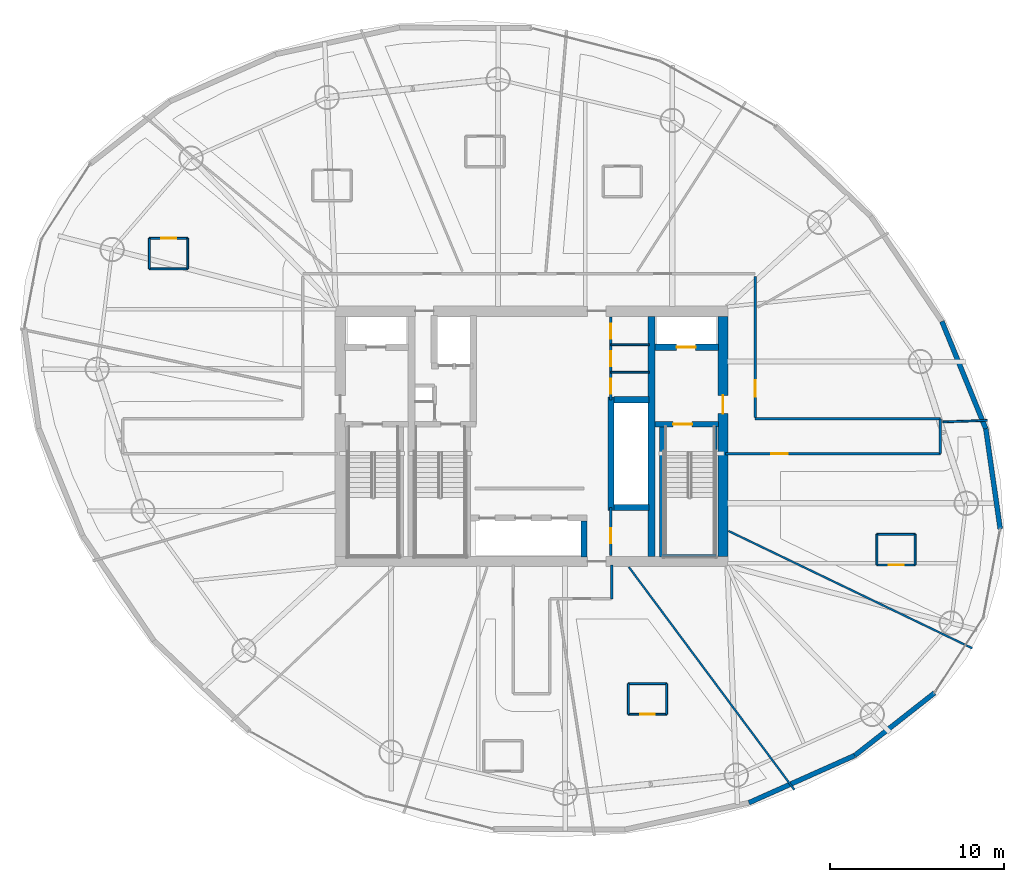
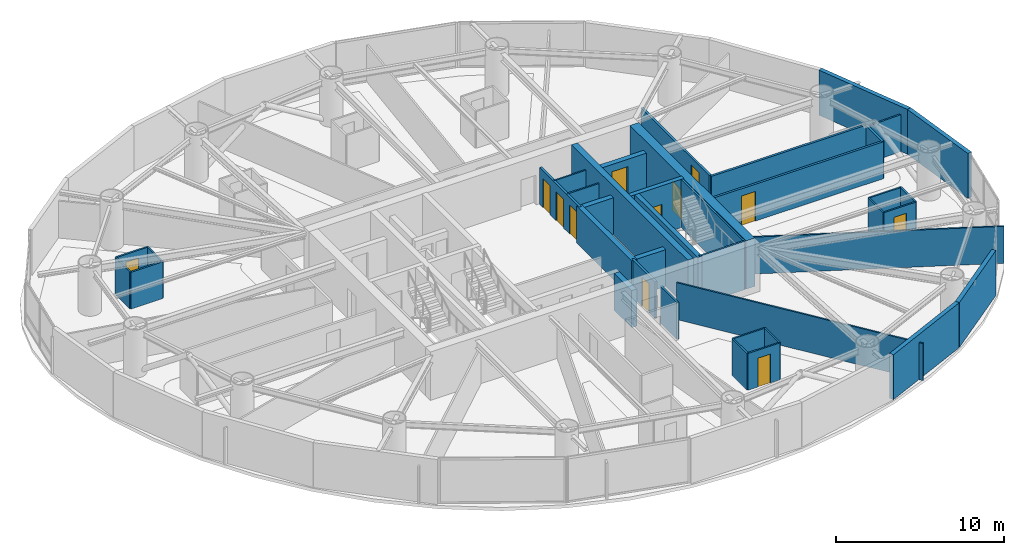
# One storey, part 17 of 22: 39 walls, 12 doors, 12 openings.
"""IFC4 building model written with IfcOpenShell, lengths in metres."""

from ifc_helpers import new_model, si_unit, direction, frame, frame_2d, origin, place, context, subcontext, project, spatial, rectangle, extrude, material, layer, layer_set, type_object, element, fill, save


model = new_model("IFC4")

# Units and contexts
model_context = context("Model", 3, precision=1e-05, world=origin(), true_north=direction((0.0, 1.0)))
body_context = subcontext(model_context, "Body", "Model", "MODEL_VIEW")
ifc_project = project(units=[si_unit("LENGTHUNIT", "METRE"), si_unit("AREAUNIT", "SQUARE_METRE"), si_unit("VOLUMEUNIT", "CUBIC_METRE"), si_unit("PLANEANGLEUNIT", "RADIAN"), si_unit("MASSUNIT", "GRAM", prefix="KILO")], contexts=[model_context])

# Site, building, storey
site_placement = place(None, origin())
site = spatial("IfcSite", under=ifc_project, at=site_placement, CompositionType="ELEMENT")
building_placement = place(site_placement, origin())
building = spatial("IfcBuilding", under=site, at=building_placement, Name="Bramvorn Convention Spire", CompositionType="ELEMENT")
storey_placement = place(building_placement, frame((0.0, 0.0, 120.300048828125)))
storey = spatial("IfcBuildingStorey", under=building, at=storey_placement, Name="L29", CompositionType="ELEMENT", Elevation=120.300048828125)

# Wall, opening, door
ifc_material_1 = material(Name="Concrete C60/70", Category="concrete")
ifc_layer_1 = layer(ifc_material_1, 0.60009765625)
ifc_layer_set_1 = layer_set([ifc_layer_1], Name="Concrete C60/70 - WL-CORE-600")
wall_type_1 = type_object("IfcWallType", Name="WL-CORE-600", PredefinedType="SHEAR", material=ifc_layer_set_1)
wall_1_placement = place(storey_placement, frame((49.0, 19.10009765625, 0.0), z_axis=(0.0, 0.0, 1.0), x_axis=(0.0, 1.0, 0.0)))
wall_1 = element("IfcWall", 1, at=wall_1_placement, inside=storey, type_object=wall_type_1, Name="L29 East RC core shear wall", PredefinedType="SHEAR", context=body_context, shape_type="SweptSolid", body=[
    extrude(rectangle(XDim=13.7998046875, YDim=0.60009765625, at=frame_2d((6.89990234375, 0.0))), origin(), (0.0, 0.0, 1.0), 3.5),
])
opening_1_placement = place(wall_1_placement, frame((8.199951171875, 0.0, 0.0)))
opening_1 = element("IfcOpeningElement", 2, at=opening_1_placement, cuts=wall_1, Name="Opening DL-105", PredefinedType="OPENING", context=body_context, shape_type="SweptSolid", body=[
    extrude(rectangle(XDim=1.050048828125, YDim=2.14990234375, at=frame_2d((0.52490234375, 1.074951171875))), frame((0.0, 0.31005859375, 0.0), z_axis=(0.0, -1.0, 0.0), x_axis=(1.0, 0.0, 0.0)), (0.0, 0.0, 1.0), 0.6201171875),
])
ifc_material_2 = material(Name="Smoke-Sealed Fire Lobby Timber-Core Door", Category="wood")
door_type_1 = type_object("IfcDoorType", Name="DR-LOBBY-1050", OperationType="NOTDEFINED", PredefinedType="DOOR", material=ifc_material_2)
door_1_placement = place(opening_1_placement, origin())
door_1 = element("IfcDoor", 3, at=door_1_placement, inside=storey, type_object=door_type_1, Name="L29 East Firefighting Lobby corridor door", OperationType="SINGLE_SWING_LEFT", OverallHeight=2.14990234375, OverallWidth=1.050048828125, PredefinedType="DOOR", context=body_context, shape_type="SweptSolid", body=[
    extrude(rectangle(XDim=1.050048828125, YDim=2.14990234375, at=frame_2d((0.52490234375, 1.074951171875))), frame((0.0, 0.02490234375, 0.0), z_axis=(0.0, -1.0, 0.0), x_axis=(1.0, 0.0, 0.0)), (0.0, 0.0, 1.0), 0.050048828125),
])
fill(opening_1, door_1)

ifc_material_3 = material(Name="Concrete C50/60", Category="concrete")
ifc_layer_2 = layer(ifc_material_3, 0.35009765625)
ifc_layer_set_2 = layer_set([ifc_layer_2], Name="Concrete C50/60 - WL-CORE-INT-350")
wall_type_2 = type_object("IfcWallType", Name="WL-CORE-INT-350", PredefinedType="SHEAR", material=ifc_layer_set_2)
wall_2_placement = place(storey_placement, frame((45.080078125, 31.1201171875, 0.0), z_axis=(0.0, 0.0, 1.0), x_axis=(1.0, 0.0, 0.0)))
wall_2 = element("IfcWall", 4, at=wall_2_placement, inside=storey, type_object=wall_type_2, Name="L29 FE2 shaft front wall", PredefinedType="SHEAR", context=body_context, shape_type="SweptSolid", body=[
    extrude(rectangle(XDim=3.669921875, YDim=0.35009765625, at=frame_2d((1.8349609375, 0.0))), origin(), (0.0, 0.0, 1.0), 2.675048828125),
])
opening_2_placement = place(wall_2_placement, frame((1.25, 0.0, 0.0)))
opening_2 = element("IfcOpeningElement", 5, at=opening_2_placement, cuts=wall_2, Name="Opening LD-110", PredefinedType="OPENING", context=body_context, shape_type="SweptSolid", body=[
    extrude(rectangle(XDim=1.10009765625, YDim=2.14990234375, at=frame_2d((0.550048828125, 1.074951171875))), frame((0.0, 0.18505859375, 0.0), z_axis=(0.0, -1.0, 0.0), x_axis=(1.0, 0.0, 0.0)), (0.0, 0.0, 1.0), 0.3701171875),
])
ifc_material_4 = material(Name="Firefighting & Service Lift Sliding Landing Door", Category="steel")
door_type_2 = type_object("IfcDoorType", Name="DR-LIFT-LD-1100", OperationType="NOTDEFINED", PredefinedType="DOOR", material=ifc_material_4)
door_2_placement = place(opening_2_placement, origin())
door_2 = element("IfcDoor", 6, at=door_2_placement, inside=storey, type_object=door_type_2, Name="L29 Lift FE2 Sliding Landing Door", OperationType="SLIDING_TO_LEFT", OverallHeight=2.14990234375, OverallWidth=1.10009765625, PredefinedType="DOOR", context=body_context, shape_type="SweptSolid", body=[
    extrude(rectangle(XDim=1.10009765625, YDim=2.14990234375, at=frame_2d((0.550048828125, 1.074951171875))), frame((0.0, 0.02490234375, 0.0), z_axis=(0.0, -1.0, 0.0), x_axis=(1.0, 0.0, 0.0)), (0.0, 0.0, 1.0), 0.050048828125),
])
fill(opening_2, door_2)

# Walls
wall_3_placement = place(storey_placement, frame((42.550048828125, 21.72998046875, 0.0), z_axis=(0.0, 0.0, 1.0), x_axis=(0.0, 1.0, 0.0)))
element("IfcWall", 7, at=wall_3_placement, inside=storey, type_object=wall_type_2, Name="L29 High-rise lift bank west wall", PredefinedType="SHEAR", context=body_context, shape_type="SweptSolid", body=[
    extrude(rectangle(XDim=6.5400390625, YDim=0.35009765625, at=frame_2d((3.27001953125, 0.0))), origin(), (0.0, 0.0, 1.0), 2.675048828125),
])
for number, where, z_axis, x_axis, name in (
    (8, (42.719970703125, 21.89990234375, 0.0), (0.0, 0.0, 1.0), (1.0, 0.0, 0.0), "L29 High-rise lift bank south wall"),
    (9, (42.719970703125, 28.10009765625, 0.0), (0.0, 0.0, 1.0), (1.0, 0.0, 0.0), "L29 High-rise lift bank north wall"),
):
    element("IfcWall", number, at=place(storey_placement, frame(where, z_axis=z_axis, x_axis=x_axis)), inside=storey, type_object=wall_type_2, Name=name, PredefinedType="SHEAR", context=body_context, shape_type="SweptSolid", body=[
        extrude(rectangle(XDim=2.030029296875, YDim=0.35009765625, at=frame_2d((1.01513671875, 0.0))), origin(), (0.0, 0.0, 1.0), 2.675048828125),
    ])
wall_4_placement = place(storey_placement, frame((41.0, 19.050048828125, 0.0), z_axis=(0.0, 0.0, 1.0), x_axis=(0.0, 1.0, 0.0)))
element("IfcWall", 10, at=wall_4_placement, inside=storey, type_object=wall_type_2, Name="L29 Mid-rise bank east cheek wall", PredefinedType="SHEAR", context=body_context, shape_type="SweptSolid", body=[
    extrude(rectangle(XDim=2.079833984375, YDim=0.35009765625, at=frame_2d((1.0400390625, 0.0))), origin(), (0.0, 0.0, 1.0), 2.675048828125),
])
ifc_layer_3 = layer(ifc_material_1, 0.39990234375)
ifc_layer_set_3 = layer_set([ifc_layer_3], Name="Concrete C60/70 - WL-CORE-INT-400")
wall_type_3 = type_object("IfcWallType", Name="WL-CORE-INT-400", PredefinedType="SHEAR", material=ifc_layer_set_3)
wall_5_placement = place(storey_placement, frame((44.89990234375, 19.10009765625, 0.0), z_axis=(0.0, 0.0, 1.0), x_axis=(0.0, 1.0, 0.0)))
element("IfcWall", 11, at=wall_5_placement, inside=storey, type_object=wall_type_3, Name="L29 East internal core shear web", PredefinedType="SHEAR", context=body_context, shape_type="SweptSolid", body=[
    extrude(rectangle(XDim=13.7998046875, YDim=0.39990234375, at=frame_2d((6.89990234375, 0.0))), origin(), (0.0, 0.0, 1.0), 3.5),
])
ifc_material_5 = material(Name="Precast Concrete C40/50 with Bronze Terracotta Rainscreen", Category="masonry")
ifc_layer_4 = layer(ifc_material_5, 0.300048828125)
ifc_layer_set_4 = layer_set([ifc_layer_4], Name="Precast Concrete C40/50 with Bronze Terracotta Rainscreen - WL-EXT-BRONZE-300")
wall_type_4 = type_object("IfcWallType", Name="WL-EXT-BRONZE-300", PredefinedType="SOLIDWALL", material=ifc_layer_set_4)
wall_6_placement = place(storey_placement, frame((64.107421875, 26.43310546875, 0.0), z_axis=(0.0, 0.0, 1.0), x_axis=(0.142471997075, -0.989798833122, 0.0)))
element("IfcWall", 12, at=wall_6_placement, inside=storey, type_object=wall_type_4, Name="L29 expressed bronze Gothic lancet pier wall 02", PredefinedType="SOLIDWALL", context=body_context, shape_type="SweptSolid", body=[
    extrude(rectangle(XDim=5.82275390625, YDim=0.280029296875, at=frame_2d((2.911376953125, 0.0))), origin(), (0.0, 0.0, 1.0), 3.260009765625),
])
for number, where, z_axis, x_axis, name in (
    (13, (61.5849609375, 32.602294921875, 0.0), (0.0, 0.0, 1.0), (0.378465960246, -0.925615209974, 0.0), "L29 expressed bronze Gothic lancet pier wall 03"),
    (14, (56.57568359375, 7.64990234375, 0.0), (0.0, 0.0, 1.0), (-0.913104765645, -0.407725013896, 0.0), "L29 expressed bronze Gothic lancet pier wall 22"),
):
    element("IfcWall", number, at=place(storey_placement, frame(where, z_axis=z_axis, x_axis=x_axis)), inside=storey, type_object=wall_type_4, Name=name, PredefinedType="SOLIDWALL", context=body_context, shape_type="SweptSolid", body=[
        extrude(rectangle(XDim=6.6650390625, YDim=0.280029296875, at=frame_2d((3.33251953125, 0.0))), origin(), (0.0, 0.0, 1.0), 3.260009765625),
    ])
wall_7_placement = place(storey_placement, frame((61.1572265625, 11.243408203125, 0.0), z_axis=(0.0, 0.0, 1.0), x_axis=(-0.786841839551, -0.617154696597, 0.0)))
element("IfcWall", 15, at=wall_7_placement, inside=storey, type_object=wall_type_4, Name="L29 expressed bronze Gothic lancet pier wall 23", PredefinedType="SOLIDWALL", context=body_context, shape_type="SweptSolid", body=[
    extrude(rectangle(XDim=5.82275390625, YDim=0.280029296875, at=frame_2d((2.911376953125, 0.0))), origin(), (0.0, 0.0, 1.0), 3.260009765625),
])
ifc_material_6 = material(Name="Lightweight En-Suite & Wet-Wall Partition", Category="gypsum")
ifc_layer_5 = layer(ifc_material_6, 0.110107421875)
ifc_layer_set_5 = layer_set([ifc_layer_5], Name="Lightweight En-Suite & Wet-Wall Partition - WL-PART-110")
wall_type_5 = type_object("IfcWallType", Name="WL-PART-110", PredefinedType="PARTITIONING", material=ifc_layer_set_5)
for number, where, z_axis, x_axis, name in (
    (16, (42.550048828125, 29.679931640625, 0.0), (0.0, 0.0, 1.0), (1.0, 0.0, 0.0), "L29 KC NE div 1"),
    (17, (42.550048828125, 31.260009765625, 0.0), (0.0, 0.0, 1.0), (1.0, 0.0, 0.0), "L29 KC NE div 2"),
):
    element("IfcWall", number, at=place(storey_placement, frame(where, z_axis=z_axis, x_axis=x_axis)), inside=storey, type_object=wall_type_5, Name=name, PredefinedType="PARTITIONING", context=body_context, shape_type="SweptSolid", body=[
        extrude(rectangle(XDim=2.199951171875, YDim=0.110107421875, at=frame_2d((1.10009765625, 0.0))), origin(), (0.0, 0.0, 1.0), 2.675048828125),
    ])
wall_8_placement = place(storey_placement, frame((61.639892578125, 26.825439453125, 0.0), z_axis=(0.0, 0.0, 1.0), x_axis=(0.999390493716, 0.03490903996, 0.0)))
element("IfcWall", 18, at=wall_8_placement, inside=storey, type_object=wall_type_5, Name="L29 Guestroom demising wall 1", PredefinedType="PARTITIONING", context=body_context, shape_type="SweptSolid", body=[
    extrude(rectangle(XDim=2.5595703125, YDim=0.110107421875, at=frame_2d((1.27978515625, 0.0))), origin(), (0.0, 0.0, 1.0), 2.675048828125),
])
wall_9_placement = place(storey_placement, frame((43.587890625, 18.47998046875, 0.0), z_axis=(0.0, 0.0, 1.0), x_axis=(0.596448533395, -0.802651323434, 0.0)))
element("IfcWall", 19, at=wall_9_placement, inside=storey, type_object=wall_type_5, Name="L29 Guestroom demising wall 12", PredefinedType="PARTITIONING", context=body_context, shape_type="SweptSolid", body=[
    extrude(rectangle(XDim=15.952880859375, YDim=0.110107421875, at=frame_2d((7.9765625, 0.0))), origin(), (0.0, 0.0, 1.0), 2.675048828125),
])
wall_10_placement = place(storey_placement, frame((49.320068359375, 20.553955078125, 0.0), z_axis=(0.0, 0.0, 1.0), x_axis=(0.901135756716, -0.433537020296, 0.0)))
element("IfcWall", 20, at=wall_10_placement, inside=storey, type_object=wall_type_5, Name="L29 Guestroom demising wall 13", PredefinedType="PARTITIONING", context=body_context, shape_type="SweptSolid", body=[
    extrude(rectangle(XDim=15.546630859375, YDim=0.110107421875, at=frame_2d((7.7734375, 0.0))), origin(), (0.0, 0.0, 1.0), 2.675048828125),
])
wall_11_placement = place(storey_placement, frame((16.0263671875, 35.62109375, 0.0), z_axis=(0.0, 0.0, 1.0), x_axis=(1.0, 0.0, 0.0)))
element("IfcWall", 21, at=wall_11_placement, inside=storey, type_object=wall_type_5, Name="Hotel Suite 2906 en-suite south wall", PredefinedType="PARTITIONING", context=body_context, shape_type="SweptSolid", body=[
    extrude(rectangle(XDim=2.199951171875, YDim=0.110107421875, at=frame_2d((1.10009765625, 0.0))), origin(), (0.0, 0.0, 1.0), 2.675048828125),
])

# Wall, opening, door
wall_12_placement = place(storey_placement, frame((16.0263671875, 37.381103515625, 0.0), z_axis=(0.0, 0.0, 1.0), x_axis=(1.0, 0.0, 0.0)))
wall_12 = element("IfcWall", 22, at=wall_12_placement, inside=storey, type_object=wall_type_5, Name="Hotel Suite 2906 en-suite north wall", PredefinedType="PARTITIONING", context=body_context, shape_type="SweptSolid", body=[
    extrude(rectangle(XDim=2.199951171875, YDim=0.110107421875, at=frame_2d((1.10009765625, 0.0))), origin(), (0.0, 0.0, 1.0), 2.675048828125),
])
opening_3_placement = place(wall_12_placement, frame((0.679931640625, 0.0, 0.0)))
opening_3 = element("IfcOpeningElement", 23, at=opening_3_placement, cuts=wall_12, Name="Opening DI-085", PredefinedType="OPENING", context=body_context, shape_type="SweptSolid", body=[
    extrude(rectangle(XDim=0.85009765625, YDim=2.10009765625, at=frame_2d((0.425048828125, 1.050048828125))), frame((0.0, 0.06494140625, 0.0), z_axis=(0.0, -1.0, 0.0), x_axis=(1.0, 0.0, 0.0)), (0.0, 0.0, 1.0), 0.130126953125),
])
ifc_material_7 = material(Name="En-Suite & Restroom Privacy Door", Category="wood")
door_type_3 = type_object("IfcDoorType", Name="DR-INT-850", OperationType="NOTDEFINED", PredefinedType="DOOR", material=ifc_material_7)
door_3_placement = place(opening_3_placement, origin())
door_3 = element("IfcDoor", 24, at=door_3_placement, inside=storey, type_object=door_type_3, Name="Hotel Suite 2906 En-Suite Bathroom door", OperationType="SINGLE_SWING_LEFT", OverallHeight=2.10009765625, OverallWidth=0.85009765625, PredefinedType="DOOR", context=body_context, shape_type="SweptSolid", body=[
    extrude(rectangle(XDim=0.85009765625, YDim=2.10009765625, at=frame_2d((0.425048828125, 1.050048828125))), frame((0.0, 0.02490234375, 0.0), z_axis=(0.0, -1.0, 0.0), x_axis=(1.0, 0.0, 0.0)), (0.0, 0.0, 1.0), 0.050048828125),
])
fill(opening_3, door_3)

# Walls
for number, where, z_axis, x_axis, name in (
    (25, (16.0263671875, 35.62109375, 0.0), (0.0, 0.0, 1.0), (0.0, 1.0, 0.0), "Hotel Suite 2906 en-suite west wall"),
    (26, (18.226318359375, 35.62109375, 0.0), (0.0, 0.0, 1.0), (0.0, 1.0, 0.0), "Hotel Suite 2906 en-suite east wall"),
):
    element("IfcWall", number, at=place(storey_placement, frame(where, z_axis=z_axis, x_axis=x_axis)), inside=storey, type_object=wall_type_5, Name=name, PredefinedType="PARTITIONING", context=body_context, shape_type="SweptSolid", body=[
        extrude(rectangle(XDim=1.760009765625, YDim=0.110107421875, at=frame_2d((0.8798828125, 0.0))), origin(), (0.0, 0.0, 1.0), 2.675048828125),
    ])

# Wall, opening, door
wall_13_placement = place(storey_placement, frame((43.556640625, 10.017578125, 0.0), z_axis=(0.0, 0.0, 1.0), x_axis=(1.0, 0.0, 0.0)))
wall_13 = element("IfcWall", 27, at=wall_13_placement, inside=storey, type_object=wall_type_5, Name="Hotel Suite 2911 en-suite south wall", PredefinedType="PARTITIONING", context=body_context, shape_type="SweptSolid", body=[
    extrude(rectangle(XDim=2.199951171875, YDim=0.110107421875, at=frame_2d((1.10009765625, 0.0))), origin(), (0.0, 0.0, 1.0), 2.675048828125),
])
opening_4_placement = place(wall_13_placement, frame((0.679931640625, 0.0, 0.0)))
opening_4 = element("IfcOpeningElement", 28, at=opening_4_placement, cuts=wall_13, Name="Opening DI-085", PredefinedType="OPENING", context=body_context, shape_type="SweptSolid", body=[
    extrude(rectangle(XDim=0.85009765625, YDim=2.10009765625, at=frame_2d((0.425048828125, 1.050048828125))), frame((0.0, 0.06494140625, 0.0), z_axis=(0.0, -1.0, 0.0), x_axis=(1.0, 0.0, 0.0)), (0.0, 0.0, 1.0), 0.130126953125),
])
door_4_placement = place(opening_4_placement, origin())
door_4 = element("IfcDoor", 29, at=door_4_placement, inside=storey, type_object=door_type_3, Name="Hotel Suite 2911 En-Suite Bathroom door", OperationType="SINGLE_SWING_LEFT", OverallHeight=2.10009765625, OverallWidth=0.85009765625, PredefinedType="DOOR", context=body_context, shape_type="SweptSolid", body=[
    extrude(rectangle(XDim=0.85009765625, YDim=2.10009765625, at=frame_2d((0.425048828125, 1.050048828125))), frame((0.0, 0.02490234375, 0.0), z_axis=(0.0, -1.0, 0.0), x_axis=(1.0, 0.0, 0.0)), (0.0, 0.0, 1.0), 0.050048828125),
])
fill(opening_4, door_4)

# Walls
wall_14_placement = place(storey_placement, frame((43.556640625, 11.777587890625, 0.0), z_axis=(0.0, 0.0, 1.0), x_axis=(1.0, 0.0, 0.0)))
element("IfcWall", 30, at=wall_14_placement, inside=storey, type_object=wall_type_5, Name="Hotel Suite 2911 en-suite north wall", PredefinedType="PARTITIONING", context=body_context, shape_type="SweptSolid", body=[
    extrude(rectangle(XDim=2.199951171875, YDim=0.110107421875, at=frame_2d((1.10009765625, 0.0))), origin(), (0.0, 0.0, 1.0), 2.675048828125),
])
for number, where, z_axis, x_axis, name in (
    (31, (43.556640625, 10.017578125, 0.0), (0.0, 0.0, 1.0), (0.0, 1.0, 0.0), "Hotel Suite 2911 en-suite west wall"),
    (32, (45.756591796875, 10.017578125, 0.0), (0.0, 0.0, 1.0), (0.0, 1.0, 0.0), "Hotel Suite 2911 en-suite east wall"),
):
    element("IfcWall", number, at=place(storey_placement, frame(where, z_axis=z_axis, x_axis=x_axis)), inside=storey, type_object=wall_type_5, Name=name, PredefinedType="PARTITIONING", context=body_context, shape_type="SweptSolid", body=[
        extrude(rectangle(XDim=1.760009765625, YDim=0.110107421875, at=frame_2d((0.8798828125, 0.0))), origin(), (0.0, 0.0, 1.0), 2.675048828125),
    ])

# Wall, opening, door
wall_15_placement = place(storey_placement, frame((57.8466796875, 18.60205078125, 0.0), z_axis=(0.0, 0.0, 1.0), x_axis=(1.0, 0.0, 0.0)))
wall_15 = element("IfcWall", 33, at=wall_15_placement, inside=storey, type_object=wall_type_5, Name="Hotel Suite 2913 en-suite south wall", PredefinedType="PARTITIONING", context=body_context, shape_type="SweptSolid", body=[
    extrude(rectangle(XDim=2.199951171875, YDim=0.110107421875, at=frame_2d((1.10009765625, 0.0))), origin(), (0.0, 0.0, 1.0), 2.675048828125),
])
opening_5_placement = place(wall_15_placement, frame((0.679931640625, 0.0, 0.0)))
opening_5 = element("IfcOpeningElement", 34, at=opening_5_placement, cuts=wall_15, Name="Opening DI-085", PredefinedType="OPENING", context=body_context, shape_type="SweptSolid", body=[
    extrude(rectangle(XDim=0.85009765625, YDim=2.10009765625, at=frame_2d((0.425048828125, 1.050048828125))), frame((0.0, 0.06494140625, 0.0), z_axis=(0.0, -1.0, 0.0), x_axis=(1.0, 0.0, 0.0)), (0.0, 0.0, 1.0), 0.130126953125),
])
door_5_placement = place(opening_5_placement, origin())
door_5 = element("IfcDoor", 35, at=door_5_placement, inside=storey, type_object=door_type_3, Name="Hotel Suite 2913 En-Suite Bathroom door", OperationType="SINGLE_SWING_LEFT", OverallHeight=2.10009765625, OverallWidth=0.85009765625, PredefinedType="DOOR", context=body_context, shape_type="SweptSolid", body=[
    extrude(rectangle(XDim=0.85009765625, YDim=2.10009765625, at=frame_2d((0.425048828125, 1.050048828125))), frame((0.0, 0.02490234375, 0.0), z_axis=(0.0, -1.0, 0.0), x_axis=(1.0, 0.0, 0.0)), (0.0, 0.0, 1.0), 0.050048828125),
])
fill(opening_5, door_5)

# Walls
wall_16_placement = place(storey_placement, frame((57.8466796875, 20.362060546875, 0.0), z_axis=(0.0, 0.0, 1.0), x_axis=(1.0, 0.0, 0.0)))
element("IfcWall", 36, at=wall_16_placement, inside=storey, type_object=wall_type_5, Name="Hotel Suite 2913 en-suite north wall", PredefinedType="PARTITIONING", context=body_context, shape_type="SweptSolid", body=[
    extrude(rectangle(XDim=2.199951171875, YDim=0.110107421875, at=frame_2d((1.10009765625, 0.0))), origin(), (0.0, 0.0, 1.0), 2.675048828125),
])
for number, where, z_axis, x_axis, name in (
    (37, (57.8466796875, 18.60205078125, 0.0), (0.0, 0.0, 1.0), (0.0, 1.0, 0.0), "Hotel Suite 2913 en-suite west wall"),
    (38, (60.046630859375, 18.60205078125, 0.0), (0.0, 0.0, 1.0), (0.0, 1.0, 0.0), "Hotel Suite 2913 en-suite east wall"),
):
    element("IfcWall", number, at=place(storey_placement, frame(where, z_axis=z_axis, x_axis=x_axis)), inside=storey, type_object=wall_type_5, Name=name, PredefinedType="PARTITIONING", context=body_context, shape_type="SweptSolid", body=[
        extrude(rectangle(XDim=1.760009765625, YDim=0.110107421875, at=frame_2d((0.8798828125, 0.0))), origin(), (0.0, 0.0, 1.0), 2.675048828125),
    ])

# Wall, openings, doors
ifc_material_8 = material(Name="Acoustic Metal-Stud Tenant/Corridor Partition", Category="gypsum")
ifc_layer_6 = layer(ifc_material_8, 0.14990234375)
ifc_layer_set_6 = layer_set([ifc_layer_6], Name="Acoustic Metal-Stud Tenant/Corridor Partition - WL-PART-150")
wall_type_6 = type_object("IfcWallType", Name="WL-PART-150", PredefinedType="PARTITIONING", material=ifc_layer_set_6)
wall_17_placement = place(storey_placement, frame((42.550048828125, 28.10009765625, 0.0), z_axis=(0.0, 0.0, 1.0), x_axis=(0.0, 1.0, 0.0)))
wall_17 = element("IfcWall", 39, at=wall_17_placement, inside=storey, type_object=wall_type_6, Name="L29 KC NE wall", PredefinedType="PARTITIONING", context=body_context, shape_type="SweptSolid", body=[
    extrude(rectangle(XDim=4.75, YDim=0.14990234375, at=frame_2d((2.375, 0.0))), origin(), (0.0, 0.0, 1.0), 2.675048828125),
])
opening_6_placement = place(wall_17_placement, frame((0.35009765625, 0.0, 0.0)))
opening_6 = element("IfcOpeningElement", 40, at=opening_6_placement, cuts=wall_17, Name="Opening DC-085", PredefinedType="OPENING", context=body_context, shape_type="SweptSolid", body=[
    extrude(rectangle(XDim=0.85009765625, YDim=2.10009765625, at=frame_2d((0.425048828125, 1.050048828125))), frame((0.0, 0.0849609375, 0.0), z_axis=(0.0, -1.0, 0.0), x_axis=(1.0, 0.0, 0.0)), (0.0, 0.0, 1.0), 0.169921875),
])
opening_7_placement = place(wall_17_placement, frame((1.929931640625, 0.0, 0.0)))
opening_7 = element("IfcOpeningElement", 41, at=opening_7_placement, cuts=wall_17, Name="Opening DC-085", PredefinedType="OPENING", context=body_context, shape_type="SweptSolid", body=[
    extrude(rectangle(XDim=0.85009765625, YDim=2.10009765625, at=frame_2d((0.425048828125, 1.050048828125))), frame((0.0, 0.0849609375, 0.0), z_axis=(0.0, -1.0, 0.0), x_axis=(1.0, 0.0, 0.0)), (0.0, 0.0, 1.0), 0.169921875),
])
opening_8_placement = place(wall_17_placement, frame((3.510009765625, 0.0, 0.0)))
opening_8 = element("IfcOpeningElement", 42, at=opening_8_placement, cuts=wall_17, Name="Opening DC-085", PredefinedType="OPENING", context=body_context, shape_type="SweptSolid", body=[
    extrude(rectangle(XDim=0.85009765625, YDim=2.10009765625, at=frame_2d((0.425048828125, 1.050048828125))), frame((0.0, 0.0849609375, 0.0), z_axis=(0.0, -1.0, 0.0), x_axis=(1.0, 0.0, 0.0)), (0.0, 0.0, 1.0), 0.169921875),
])
ifc_material_9 = material(Name="Fire-Rated Core Washroom & IDF Door", Category="wood")
door_type_4 = type_object("IfcDoorType", Name="DR-CORE-850", OperationType="NOTDEFINED", PredefinedType="DOOR", material=ifc_material_9)
door_6_placement = place(opening_6_placement, origin())
door_6 = element("IfcDoor", 43, at=door_6_placement, inside=storey, type_object=door_type_4, Name="L29 Accessible Core Restroom door", OperationType="SINGLE_SWING_LEFT", OverallHeight=2.10009765625, OverallWidth=0.85009765625, PredefinedType="DOOR", context=body_context, shape_type="SweptSolid", body=[
    extrude(rectangle(XDim=0.85009765625, YDim=2.10009765625, at=frame_2d((0.425048828125, 1.050048828125))), frame((0.0, 0.02490234375, 0.0), z_axis=(0.0, -1.0, 0.0), x_axis=(1.0, 0.0, 0.0)), (0.0, 0.0, 1.0), 0.050048828125),
])
fill(opening_6, door_6)
door_7_placement = place(opening_7_placement, origin())
door_7 = element("IfcDoor", 44, at=door_7_placement, inside=storey, type_object=door_type_4, Name="L29 Floor Housekeeping & Linen Store door", OperationType="SINGLE_SWING_LEFT", OverallHeight=2.10009765625, OverallWidth=0.85009765625, PredefinedType="DOOR", context=body_context, shape_type="SweptSolid", body=[
    extrude(rectangle(XDim=0.85009765625, YDim=2.10009765625, at=frame_2d((0.425048828125, 1.050048828125))), frame((0.0, 0.02490234375, 0.0), z_axis=(0.0, -1.0, 0.0), x_axis=(1.0, 0.0, 0.0)), (0.0, 0.0, 1.0), 0.050048828125),
])
fill(opening_7, door_7)
door_8_placement = place(opening_8_placement, origin())
door_8 = element("IfcDoor", 45, at=door_8_placement, inside=storey, type_object=door_type_4, Name="L29 Core Comms Closet door", OperationType="SINGLE_SWING_LEFT", OverallHeight=2.10009765625, OverallWidth=0.85009765625, PredefinedType="DOOR", context=body_context, shape_type="SweptSolid", body=[
    extrude(rectangle(XDim=0.85009765625, YDim=2.10009765625, at=frame_2d((0.425048828125, 1.050048828125))), frame((0.0, 0.02490234375, 0.0), z_axis=(0.0, -1.0, 0.0), x_axis=(1.0, 0.0, 0.0)), (0.0, 0.0, 1.0), 0.050048828125),
])
fill(opening_8, door_8)

# Wall, opening, door
wall_18_placement = place(storey_placement, frame((42.550048828125, 19.14990234375, 0.0), z_axis=(0.0, 0.0, 1.0), x_axis=(0.0, 1.0, 0.0)))
wall_18 = element("IfcWall", 46, at=wall_18_placement, inside=storey, type_object=wall_type_6, Name="L29 KC SE wall", PredefinedType="PARTITIONING", context=body_context, shape_type="SweptSolid", body=[
    extrude(rectangle(XDim=2.75, YDim=0.14990234375, at=frame_2d((1.375, 0.0))), origin(), (0.0, 0.0, 1.0), 2.675048828125),
])
opening_9_placement = place(wall_18_placement, frame((0.699951171875, 0.0, 0.0)))
opening_9 = element("IfcOpeningElement", 47, at=opening_9_placement, cuts=wall_18, Name="Opening DC-085", PredefinedType="OPENING", context=body_context, shape_type="SweptSolid", body=[
    extrude(rectangle(XDim=0.85009765625, YDim=2.10009765625, at=frame_2d((0.425048828125, 1.050048828125))), frame((0.0, 0.0849609375, 0.0), z_axis=(0.0, -1.0, 0.0), x_axis=(1.0, 0.0, 0.0)), (0.0, 0.0, 1.0), 0.169921875),
])
door_9_placement = place(opening_9_placement, origin())
door_9 = element("IfcDoor", 48, at=door_9_placement, inside=storey, type_object=door_type_4, Name="L29 Core Valve & Riser Room door", OperationType="SINGLE_SWING_LEFT", OverallHeight=2.10009765625, OverallWidth=0.85009765625, PredefinedType="DOOR", context=body_context, shape_type="SweptSolid", body=[
    extrude(rectangle(XDim=0.85009765625, YDim=2.10009765625, at=frame_2d((0.425048828125, 1.050048828125))), frame((0.0, 0.02490234375, 0.0), z_axis=(0.0, -1.0, 0.0), x_axis=(1.0, 0.0, 0.0)), (0.0, 0.0, 1.0), 0.050048828125),
])
fill(opening_9, door_9)

wall_19_placement = place(storey_placement, frame((50.85009765625, 27.080078125, 0.0), z_axis=(0.0, 0.0, 1.0), x_axis=(0.0, 1.0, 0.0)))
wall_19 = element("IfcWall", 49, at=wall_19_placement, inside=storey, type_object=wall_type_6, Name="L29 NE gallery cheek", PredefinedType="PARTITIONING", context=body_context, shape_type="SweptSolid", body=[
    extrude(rectangle(XDim=8.119873046875, YDim=0.14990234375, at=frame_2d((4.06005859375, 0.0))), origin(), (0.0, 0.0, 1.0), 2.675048828125),
])
opening_10_placement = place(wall_19_placement, frame((1.178955078125, 0.0, 0.0)))
opening_10 = element("IfcOpeningElement", 50, at=opening_10_placement, cuts=wall_19, Name="Opening DH-095", PredefinedType="OPENING", context=body_context, shape_type="SweptSolid", body=[
    extrude(rectangle(XDim=0.949951171875, YDim=2.14990234375, at=frame_2d((0.47509765625, 1.074951171875))), frame((0.0, 0.0849609375, 0.0), z_axis=(0.0, -1.0, 0.0), x_axis=(1.0, 0.0, 0.0)), (0.0, 0.0, 1.0), 0.169921875),
])
ifc_material_10 = material(Name="Solid-Core Acoustic Guestroom Entry Door", Category="wood")
door_type_5 = type_object("IfcDoorType", Name="DR-HOTEL-950", OperationType="NOTDEFINED", PredefinedType="DOOR", material=ifc_material_10)
door_10_placement = place(opening_10_placement, origin())
door_10 = element("IfcDoor", 51, at=door_10_placement, inside=storey, type_object=door_type_5, Name="L29 Hospitality Lounge 1 door", OperationType="SINGLE_SWING_LEFT", OverallHeight=2.14990234375, OverallWidth=0.949951171875, PredefinedType="DOOR", context=body_context, shape_type="SweptSolid", body=[
    extrude(rectangle(XDim=0.949951171875, YDim=2.14990234375, at=frame_2d((0.47509765625, 1.074951171875))), frame((0.0, 0.02490234375, 0.0), z_axis=(0.0, -1.0, 0.0), x_axis=(1.0, 0.0, 0.0)), (0.0, 0.0, 1.0), 0.050048828125),
])
fill(opening_10, door_10)

# Wall
wall_20_placement = place(storey_placement, frame((50.85009765625, 27.0, 0.0), z_axis=(0.0, 0.0, 1.0), x_axis=(1.0, 0.0, 0.0)))
element("IfcWall", 52, at=wall_20_placement, inside=storey, type_object=wall_type_6, Name="L29 East wing spine north wall", PredefinedType="PARTITIONING", context=body_context, shape_type="SweptSolid", body=[
    extrude(rectangle(XDim=10.64990234375, YDim=0.14990234375, at=frame_2d((5.324951171875, 0.0))), origin(), (0.0, 0.0, 1.0), 2.675048828125),
])

# Wall, opening, door
wall_21_placement = place(storey_placement, frame((49.14990234375, 25.0, 0.0), z_axis=(0.0, 0.0, 1.0), x_axis=(1.0, 0.0, 0.0)))
wall_21 = element("IfcWall", 53, at=wall_21_placement, inside=storey, type_object=wall_type_6, Name="L29 East wing spine south wall", PredefinedType="PARTITIONING", context=body_context, shape_type="SweptSolid", body=[
    extrude(rectangle(XDim=12.35009765625, YDim=0.14990234375, at=frame_2d((6.175048828125, 0.0))), origin(), (0.0, 0.0, 1.0), 2.675048828125),
])
opening_11_placement = place(wall_21_placement, frame((2.612548828125, 0.0, 0.0)))
opening_11 = element("IfcOpeningElement", 54, at=opening_11_placement, cuts=wall_21, Name="Opening DH-095", PredefinedType="OPENING", context=body_context, shape_type="SweptSolid", body=[
    extrude(rectangle(XDim=0.949951171875, YDim=2.14990234375, at=frame_2d((0.47509765625, 1.074951171875))), frame((0.0, 0.0849609375, 0.0), z_axis=(0.0, -1.0, 0.0), x_axis=(1.0, 0.0, 0.0)), (0.0, 0.0, 1.0), 0.169921875),
])
door_11_placement = place(opening_11_placement, origin())
door_11 = element("IfcDoor", 55, at=door_11_placement, inside=storey, type_object=door_type_5, Name="Hotel Suite 2913 entry door", OperationType="SINGLE_SWING_LEFT", OverallHeight=2.14990234375, OverallWidth=0.949951171875, PredefinedType="DOOR", context=body_context, shape_type="SweptSolid", body=[
    extrude(rectangle(XDim=0.949951171875, YDim=2.14990234375, at=frame_2d((0.47509765625, 1.074951171875))), frame((0.0, 0.02490234375, 0.0), z_axis=(0.0, -1.0, 0.0), x_axis=(1.0, 0.0, 0.0)), (0.0, 0.0, 1.0), 0.050048828125),
])
fill(opening_11, door_11)

# Walls
wall_22_placement = place(storey_placement, frame((61.5, 25.0, 0.0), z_axis=(0.0, 0.0, 1.0), x_axis=(0.0, 1.0, 0.0)))
element("IfcWall", 56, at=wall_22_placement, inside=storey, type_object=wall_type_6, Name="L29 East wing spine end wall", PredefinedType="PARTITIONING", context=body_context, shape_type="SweptSolid", body=[
    extrude(rectangle(XDim=2.0, YDim=0.14990234375, at=frame_2d((1.0, 0.0))), origin(), (0.0, 0.0, 1.0), 2.675048828125),
])
wall_23_placement = place(storey_placement, frame((42.60009765625, 16.64990234375, 0.0), z_axis=(0.0, 0.0, 1.0), x_axis=(0.0, 1.0, 0.0)))
element("IfcWall", 57, at=wall_23_placement, inside=storey, type_object=wall_type_6, Name="L29 South lift lobby east cheek", PredefinedType="PARTITIONING", context=body_context, shape_type="SweptSolid", body=[
    extrude(rectangle(XDim=1.9501953125, YDim=0.14990234375, at=frame_2d((0.97509765625, 0.0))), origin(), (0.0, 0.0, 1.0), 2.675048828125),
])

# Wall, opening, door
ifc_layer_7 = layer(ifc_material_3, 0.300048828125)
ifc_layer_set_7 = layer_set([ifc_layer_7], Name="Concrete C50/60 - WL-POD-STAIR-300")
wall_type_7 = type_object("IfcWallType", Name="WL-POD-STAIR-300", PredefinedType="SHEAR", material=ifc_layer_set_7)
wall_24_placement = place(storey_placement, frame((45.080078125, 26.68994140625, 0.0), z_axis=(0.0, 0.0, 1.0), x_axis=(1.0, 0.0, 0.0)))
wall_24 = element("IfcWall", 58, at=wall_24_placement, inside=storey, type_object=wall_type_7, Name="L29 ST2 north fire wall", PredefinedType="SHEAR", context=body_context, shape_type="SweptSolid", body=[
    extrude(rectangle(XDim=3.669921875, YDim=0.300048828125, at=frame_2d((1.8349609375, 0.0))), origin(), (0.0, 0.0, 1.0), 3.5),
])
opening_12_placement = place(wall_24_placement, frame((1.050048828125, 0.0, 0.0)))
opening_12 = element("IfcOpeningElement", 59, at=opening_12_placement, cuts=wall_24, Name="Opening DS-110", PredefinedType="OPENING", context=body_context, shape_type="SweptSolid", body=[
    extrude(rectangle(XDim=1.10009765625, YDim=2.14990234375, at=frame_2d((0.550048828125, 1.074951171875))), frame((0.0, 0.159912109375, 0.0), z_axis=(0.0, -1.0, 0.0), x_axis=(1.0, 0.0, 0.0)), (0.0, 0.0, 1.0), 0.320068359375),
])
ifc_material_11 = material(Name="Fire-Rated Hollow Steel Stairwell Door", Category="steel")
door_type_6 = type_object("IfcDoorType", Name="DR-STAIR-1100", OperationType="NOTDEFINED", PredefinedType="DOOR", material=ifc_material_11)
door_12_placement = place(opening_12_placement, origin())
door_12 = element("IfcDoor", 60, at=door_12_placement, inside=storey, type_object=door_type_6, Name="L29 Stair ST2 fire door", OperationType="SINGLE_SWING_RIGHT", OverallHeight=2.14990234375, OverallWidth=1.10009765625, PredefinedType="DOOR", context=body_context, shape_type="SweptSolid", body=[
    extrude(rectangle(XDim=1.10009765625, YDim=2.14990234375, at=frame_2d((0.550048828125, 1.074951171875))), frame((0.0, 0.02490234375, 0.0), z_axis=(0.0, -1.0, 0.0), x_axis=(1.0, 0.0, 0.0)), (0.0, 0.0, 1.0), 0.050048828125),
])
fill(opening_12, door_12)

# Walls
wall_25_placement = place(storey_placement, frame((45.510009765625, 19.050048828125, 0.0), z_axis=(0.0, 0.0, 1.0), x_axis=(0.0, 1.0, 0.0)))
element("IfcWall", 61, at=wall_25_placement, inside=storey, type_object=wall_type_7, Name="L29 ST2 west bearing wall", PredefinedType="SHEAR", context=body_context, shape_type="SweptSolid", body=[
    extrude(rectangle(XDim=7.5, YDim=0.300048828125, at=frame_2d((3.75, 0.0))), origin(), (0.0, 0.0, 1.0), 3.5),
])
ifc_layer_8 = layer(ifc_material_3, 0.1201171875)
ifc_layer_set_8 = layer_set([ifc_layer_8], Name="Concrete C50/60 - WL-STAIR-RC-120")
wall_type_8 = type_object("IfcWallType", Name="WL-STAIR-RC-120", PredefinedType="SHEAR", material=ifc_layer_set_8)
wall_26_placement = place(storey_placement, frame((48.60498046875, 19.10009765625, 0.0), z_axis=(0.0, 0.0, 1.0), x_axis=(0.0, 1.0, 0.0)))
element("IfcWall", 62, at=wall_26_placement, inside=storey, type_object=wall_type_8, Name="L29 ST2 east bearing shear wall", PredefinedType="SHEAR", context=body_context, shape_type="SweptSolid", body=[
    extrude(rectangle(XDim=7.449951171875, YDim=0.1201171875, at=frame_2d((3.72509765625, 0.0))), origin(), (0.0, 0.0, 1.0), 3.5),
])
wall_27_placement = place(storey_placement, frame((45.510009765625, 19.159912109375, 0.0), z_axis=(0.0, 0.0, 1.0), x_axis=(1.0, 0.0, 0.0)))
element("IfcWall", 63, at=wall_27_placement, inside=storey, type_object=wall_type_8, Name="L29 ST2 south bearing shear wall", PredefinedType="SHEAR", context=body_context, shape_type="SweptSolid", body=[
    extrude(rectangle(XDim=3.094970703125, YDim=0.1201171875, at=frame_2d((1.54736328125, 0.0))), origin(), (0.0, 0.0, 1.0), 3.5),
])

save(model, "model.ifc")
